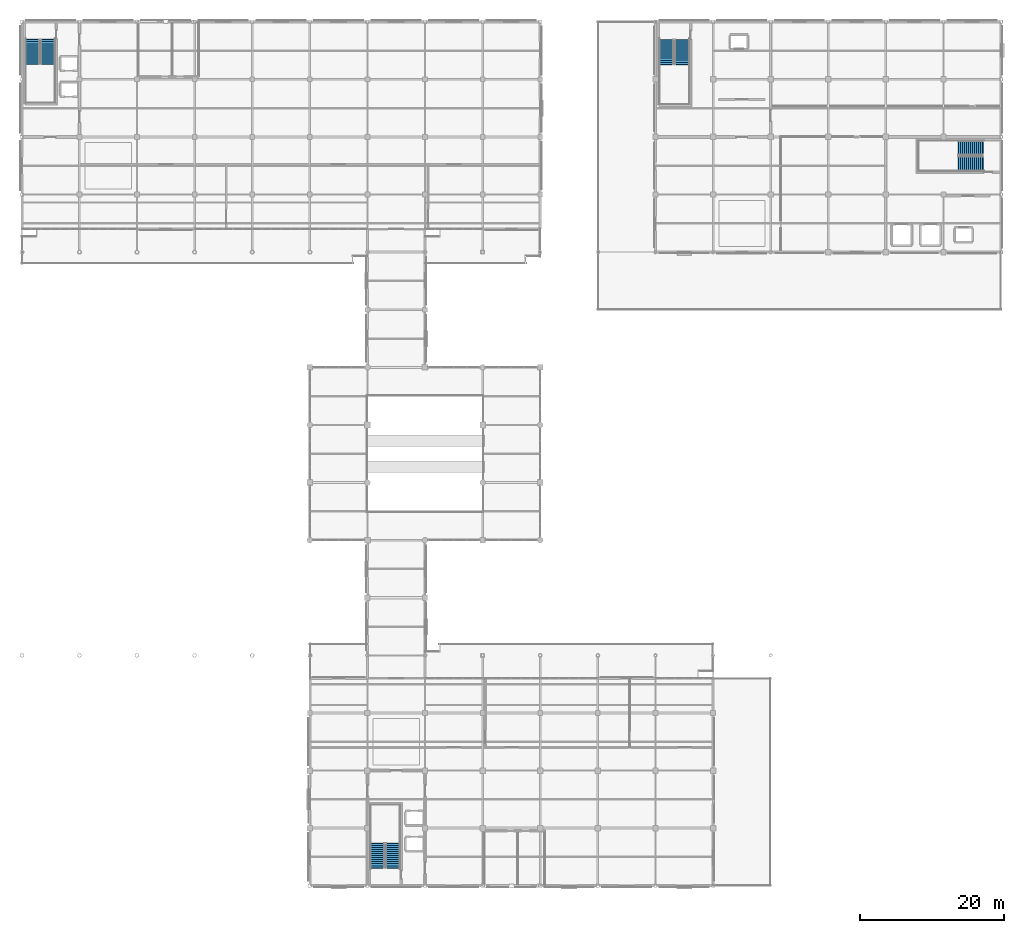
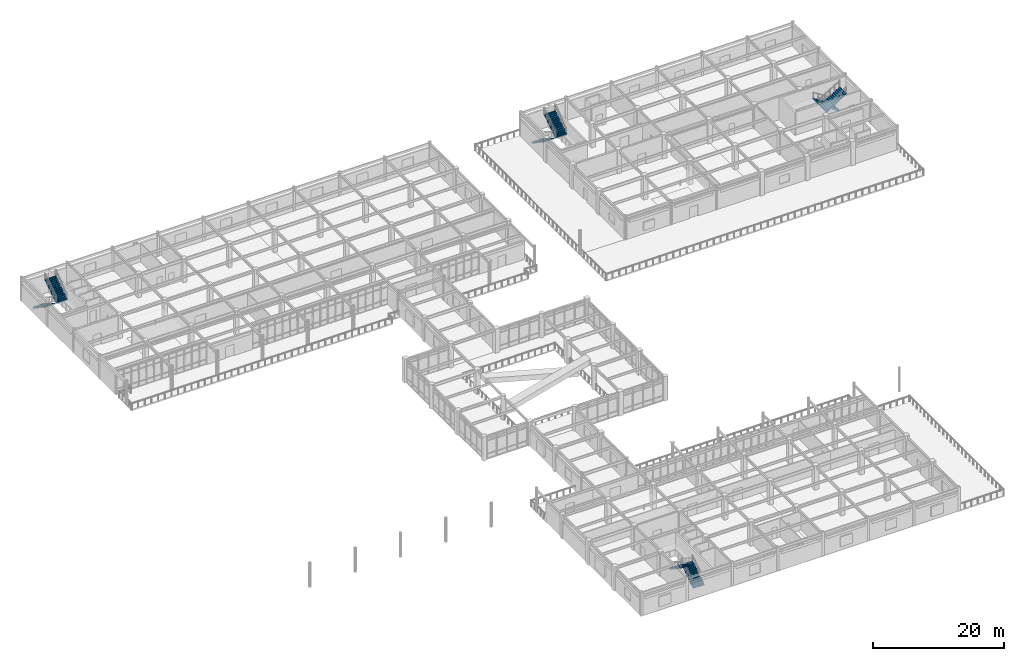
# One storey, part 61 of 75: 8 stair flights, 4 elements without a shape of their own.
"""IFC4 building model written with IfcOpenShell, lengths in metres."""

from ifc_helpers import new_model, si_unit, direction, frame, origin, place, context, subcontext, project, spatial, polyline, outline, extrude, material, type_object, element, aggregate, save


model = new_model("IFC4")

# Units and contexts
model_context = context("Model", 3, precision=1e-05, world=origin(), true_north=direction((0.0, 1.0)))
body_context = subcontext(model_context, "Body", "Model", "MODEL_VIEW")
ifc_project = project(units=[si_unit("LENGTHUNIT", "METRE"), si_unit("AREAUNIT", "SQUARE_METRE"), si_unit("VOLUMEUNIT", "CUBIC_METRE"), si_unit("PLANEANGLEUNIT", "RADIAN"), si_unit("MASSUNIT", "GRAM", prefix="KILO")], contexts=[model_context])

# Site, building, storey
site_placement = place(None, origin())
site = spatial("IfcSite", under=ifc_project, at=site_placement, CompositionType="ELEMENT")
building_placement = place(site_placement, origin())
building = spatial("IfcBuilding", under=site, at=building_placement, Name="Solmirada Galleria", CompositionType="ELEMENT")
storey_placement = place(building_placement, frame((0.0, 0.0, 19.39990234375)))
storey = spatial("IfcBuildingStorey", under=building, at=storey_placement, Name="L04", CompositionType="ELEMENT", Elevation=19.39990234375)

# Stair, stair flights
ifc_material = material(Name="Concrete C35/45", Category="concrete")
stair_type_1 = type_object("IfcStairType", Name="STR-DOG-200-H45", PredefinedType="HALF_TURN_STAIR", material=ifc_material)
stair_1_placement = place(storey_placement, origin())
stair_1 = element("IfcStair", 1, at=stair_1_placement, inside=storey, type_object=stair_type_1, Name="L04 Northwest Sales Core Exit Stair ST1", PredefinedType="HALF_TURN_STAIR")
stair_flight_type_1 = type_object("IfcStairFlightType", Name="SFL-DOG-200-H45", PredefinedType="STRAIGHT", material=ifc_material)
stair_flight_1_placement = place(storey_placement, frame((41.5, 117.5, 0.0), z_axis=(0.0, 0.0, 1.0), x_axis=(0.0, -1.0, 0.0)))
stair_flight_1 = element("IfcStairFlight", 2, at=stair_flight_1_placement, type_object=stair_flight_type_1, Name="ST1 flight 1", NumberOfRisers=13, NumberOfTreads=12, PredefinedType="STRAIGHT", RiserHeight=0.173076923, TreadLength=0.28, context=body_context, shape_type="SweptSolid", body=[
    extrude(outline(polyline([(-0.080078125, 0.0), (0.0, 0.0), (0.0, 0.173095703125), (0.280029296875, 0.173095703125), (0.280029296875, 0.34619140625), (0.56005859375, 0.34619140625), (0.56005859375, 0.519287109375), (0.840087890625, 0.519287109375), (0.840087890625, 0.6923828125), (1.1201171875, 0.6923828125), (1.1201171875, 0.865478515625), (1.39990234375, 0.865478515625), (1.39990234375, 1.03857421875), (1.679931640625, 1.03857421875), (1.679931640625, 1.21142578125), (1.9599609375, 1.21142578125), (1.9599609375, 1.384521484375), (2.239990234375, 1.384521484375), (2.239990234375, 1.5576171875), (2.52001953125, 1.5576171875), (2.52001953125, 1.730712890625), (2.800048828125, 1.730712890625), (2.800048828125, 1.90380859375), (3.080078125, 1.90380859375), (3.080078125, 2.076904296875), (3.360107421875, 2.076904296875), (3.360107421875, 2.25), (3.43994140625, 2.25), (3.43994140625, 2.050048828125), (3.360107421875, 2.050048828125), (0.080078125, -0.179931640625), (-0.080078125, -0.179931640625), (-0.080078125, 0.0)])), frame((0.0, 1.0, 0.0), z_axis=(0.0, -1.0, 0.0), x_axis=(1.0, 0.0, 0.0)), (0.0, 0.0, 1.0), 2.0),
])
stair_flight_2_placement = place(storey_placement, frame((43.64990234375, 114.139892578125, 2.25), z_axis=(0.0, 0.0, 1.0), x_axis=(0.0, 1.0, 0.0)))
stair_flight_2 = element("IfcStairFlight", 3, at=stair_flight_2_placement, type_object=stair_flight_type_1, Name="ST1 flight 2", NumberOfRisers=13, NumberOfTreads=12, PredefinedType="STRAIGHT", RiserHeight=0.173076923, TreadLength=0.28, context=body_context, shape_type="SweptSolid", body=[
    extrude(outline(polyline([(-0.080078125, 0.0), (0.0, 0.0), (0.0, 0.173095703125), (0.280029296875, 0.173095703125), (0.280029296875, 0.34619140625), (0.56005859375, 0.34619140625), (0.56005859375, 0.519287109375), (0.840087890625, 0.519287109375), (0.840087890625, 0.6923828125), (1.1201171875, 0.6923828125), (1.1201171875, 0.865478515625), (1.39990234375, 0.865478515625), (1.39990234375, 1.03857421875), (1.679931640625, 1.03857421875), (1.679931640625, 1.21142578125), (1.9599609375, 1.21142578125), (1.9599609375, 1.384521484375), (2.239990234375, 1.384521484375), (2.239990234375, 1.5576171875), (2.52001953125, 1.5576171875), (2.52001953125, 1.730712890625), (2.800048828125, 1.730712890625), (2.800048828125, 1.90380859375), (3.080078125, 1.90380859375), (3.080078125, 2.076904296875), (3.360107421875, 2.076904296875), (3.360107421875, 2.25), (3.43994140625, 2.25), (3.43994140625, 2.050048828125), (3.360107421875, 2.050048828125), (0.080078125, -0.179931640625), (-0.080078125, -0.179931640625), (-0.080078125, 0.0)])), frame((0.0, 1.0, 0.0), z_axis=(0.0, -1.0, 0.0), x_axis=(1.0, 0.0, 0.0)), (0.0, 0.0, 1.0), 2.0),
])
aggregate(stair_1, [stair_flight_1, stair_flight_2])

stair_2_placement = place(storey_placement, origin())
stair_2 = element("IfcStair", 4, at=stair_2_placement, inside=storey, type_object=stair_type_1, Name="L04 South Sales Core Exit Stair ST2", PredefinedType="HALF_TURN_STAIR")
stair_flight_3_placement = place(storey_placement, frame((91.550048828125, 2.5, 0.0), z_axis=(0.0, 0.0, 1.0), x_axis=(0.0, 1.0, 0.0)))
stair_flight_3 = element("IfcStairFlight", 5, at=stair_flight_3_placement, type_object=stair_flight_type_1, Name="ST2 flight 1", NumberOfRisers=13, NumberOfTreads=12, PredefinedType="STRAIGHT", RiserHeight=0.173076923, TreadLength=0.28, context=body_context, shape_type="SweptSolid", body=[
    extrude(outline(polyline([(-0.080078125, 0.0), (0.0, 0.0), (0.0, 0.173095703125), (0.280029296875, 0.173095703125), (0.280029296875, 0.34619140625), (0.56005859375, 0.34619140625), (0.56005859375, 0.519287109375), (0.840087890625, 0.519287109375), (0.840087890625, 0.6923828125), (1.1201171875, 0.6923828125), (1.1201171875, 0.865478515625), (1.39990234375, 0.865478515625), (1.39990234375, 1.03857421875), (1.679931640625, 1.03857421875), (1.679931640625, 1.21142578125), (1.9599609375, 1.21142578125), (1.9599609375, 1.384521484375), (2.239990234375, 1.384521484375), (2.239990234375, 1.5576171875), (2.52001953125, 1.5576171875), (2.52001953125, 1.730712890625), (2.800048828125, 1.730712890625), (2.800048828125, 1.90380859375), (3.080078125, 1.90380859375), (3.080078125, 2.076904296875), (3.360107421875, 2.076904296875), (3.360107421875, 2.25), (3.43994140625, 2.25), (3.43994140625, 2.050048828125), (3.360107421875, 2.050048828125), (0.080078125, -0.179931640625), (-0.080078125, -0.179931640625), (-0.080078125, 0.0)])), frame((0.0, 1.0, 0.0), z_axis=(0.0, -1.0, 0.0), x_axis=(1.0, 0.0, 0.0)), (0.0, 0.0, 1.0), 2.0),
])
stair_flight_4_placement = place(storey_placement, frame((89.39990234375, 5.860107421875, 2.25), z_axis=(0.0, 0.0, 1.0), x_axis=(0.0, -1.0, 0.0)))
stair_flight_4 = element("IfcStairFlight", 6, at=stair_flight_4_placement, type_object=stair_flight_type_1, Name="ST2 flight 2", NumberOfRisers=13, NumberOfTreads=12, PredefinedType="STRAIGHT", RiserHeight=0.173076923, TreadLength=0.28, context=body_context, shape_type="SweptSolid", body=[
    extrude(outline(polyline([(-0.080078125, 0.0), (0.0, 0.0), (0.0, 0.173095703125), (0.280029296875, 0.173095703125), (0.280029296875, 0.34619140625), (0.56005859375, 0.34619140625), (0.56005859375, 0.519287109375), (0.840087890625, 0.519287109375), (0.840087890625, 0.6923828125), (1.1201171875, 0.6923828125), (1.1201171875, 0.865478515625), (1.39990234375, 0.865478515625), (1.39990234375, 1.03857421875), (1.679931640625, 1.03857421875), (1.679931640625, 1.21142578125), (1.9599609375, 1.21142578125), (1.9599609375, 1.384521484375), (2.239990234375, 1.384521484375), (2.239990234375, 1.5576171875), (2.52001953125, 1.5576171875), (2.52001953125, 1.730712890625), (2.800048828125, 1.730712890625), (2.800048828125, 1.90380859375), (3.080078125, 1.90380859375), (3.080078125, 2.076904296875), (3.360107421875, 2.076904296875), (3.360107421875, 2.25), (3.43994140625, 2.25), (3.43994140625, 2.050048828125), (3.360107421875, 2.050048828125), (0.080078125, -0.179931640625), (-0.080078125, -0.179931640625), (-0.080078125, 0.0)])), frame((0.0, 1.0, 0.0), z_axis=(0.0, -1.0, 0.0), x_axis=(1.0, 0.0, 0.0)), (0.0, 0.0, 1.0), 2.0),
])
aggregate(stair_2, [stair_flight_3, stair_flight_4])

stair_type_2 = type_object("IfcStairType", Name="STR-DOG-205-H45", PredefinedType="HALF_TURN_STAIR", material=ifc_material)
stair_3_placement = place(storey_placement, origin())
stair_3 = element("IfcStair", 7, at=stair_3_placement, inside=storey, type_object=stair_type_2, Name="L04 North Avenue High-Rise Core Exit Stair ST3", PredefinedType="HALF_TURN_STAIR")
stair_flight_type_2 = type_object("IfcStairFlightType", Name="SFL-DOG-205-H45", PredefinedType="STRAIGHT", material=ifc_material)
stair_flight_5_placement = place(storey_placement, frame((129.52490234375, 117.449951171875, 0.0), z_axis=(0.0, 0.0, 1.0), x_axis=(0.0, -1.0, 0.0)))
stair_flight_5 = element("IfcStairFlight", 8, at=stair_flight_5_placement, type_object=stair_flight_type_2, Name="ST3 flight 1", NumberOfRisers=13, NumberOfTreads=12, PredefinedType="STRAIGHT", RiserHeight=0.173076923, TreadLength=0.28, context=body_context, shape_type="SweptSolid", body=[
    extrude(outline(polyline([(-0.080078125, 0.0), (0.0, 0.0), (0.0, 0.173095703125), (0.280029296875, 0.173095703125), (0.280029296875, 0.34619140625), (0.56005859375, 0.34619140625), (0.56005859375, 0.519287109375), (0.840087890625, 0.519287109375), (0.840087890625, 0.6923828125), (1.1201171875, 0.6923828125), (1.1201171875, 0.865478515625), (1.39990234375, 0.865478515625), (1.39990234375, 1.03857421875), (1.679931640625, 1.03857421875), (1.679931640625, 1.21142578125), (1.9599609375, 1.21142578125), (1.9599609375, 1.384521484375), (2.239990234375, 1.384521484375), (2.239990234375, 1.5576171875), (2.52001953125, 1.5576171875), (2.52001953125, 1.730712890625), (2.800048828125, 1.730712890625), (2.800048828125, 1.90380859375), (3.080078125, 1.90380859375), (3.080078125, 2.076904296875), (3.360107421875, 2.076904296875), (3.360107421875, 2.25), (3.43994140625, 2.25), (3.43994140625, 2.050048828125), (3.360107421875, 2.050048828125), (0.080078125, -0.179931640625), (-0.080078125, -0.179931640625), (-0.080078125, 0.0)])), frame((0.0, 1.02490234375, 0.0), z_axis=(0.0, -1.0, 0.0), x_axis=(1.0, 0.0, 0.0)), (0.0, 0.0, 1.0), 2.050048828125),
])
stair_flight_6_placement = place(storey_placement, frame((131.72509765625, 114.090087890625, 2.25), z_axis=(0.0, 0.0, 1.0), x_axis=(0.0, 1.0, 0.0)))
stair_flight_6 = element("IfcStairFlight", 9, at=stair_flight_6_placement, type_object=stair_flight_type_2, Name="ST3 flight 2", NumberOfRisers=13, NumberOfTreads=12, PredefinedType="STRAIGHT", RiserHeight=0.173076923, TreadLength=0.28, context=body_context, shape_type="SweptSolid", body=[
    extrude(outline(polyline([(-0.080078125, 0.0), (0.0, 0.0), (0.0, 0.173095703125), (0.280029296875, 0.173095703125), (0.280029296875, 0.34619140625), (0.56005859375, 0.34619140625), (0.56005859375, 0.519287109375), (0.840087890625, 0.519287109375), (0.840087890625, 0.6923828125), (1.1201171875, 0.6923828125), (1.1201171875, 0.865478515625), (1.39990234375, 0.865478515625), (1.39990234375, 1.03857421875), (1.679931640625, 1.03857421875), (1.679931640625, 1.21142578125), (1.9599609375, 1.21142578125), (1.9599609375, 1.384521484375), (2.239990234375, 1.384521484375), (2.239990234375, 1.5576171875), (2.52001953125, 1.5576171875), (2.52001953125, 1.730712890625), (2.800048828125, 1.730712890625), (2.800048828125, 1.90380859375), (3.080078125, 1.90380859375), (3.080078125, 2.076904296875), (3.360107421875, 2.076904296875), (3.360107421875, 2.25), (3.43994140625, 2.25), (3.43994140625, 2.050048828125), (3.360107421875, 2.050048828125), (0.080078125, -0.179931640625), (-0.080078125, -0.179931640625), (-0.080078125, 0.0)])), frame((0.0, 1.02490234375, 0.0), z_axis=(0.0, -1.0, 0.0), x_axis=(1.0, 0.0, 0.0)), (0.0, 0.0, 1.0), 2.050048828125),
])
aggregate(stair_3, [stair_flight_5, stair_flight_6])

stair_4_placement = place(storey_placement, origin())
stair_4 = element("IfcStair", 10, at=stair_4_placement, inside=storey, type_object=stair_type_2, Name="L04 East Avenue High-Rise and Freight Core Exit Stair ST4", PredefinedType="HALF_TURN_STAIR")
stair_flight_7_placement = place(storey_placement, frame((173.449951171875, 102.47509765625, 0.0), z_axis=(0.0, 0.0, 1.0), x_axis=(-1.0, 0.0, 0.0)))
stair_flight_7 = element("IfcStairFlight", 11, at=stair_flight_7_placement, type_object=stair_flight_type_2, Name="ST4 flight 1", NumberOfRisers=13, NumberOfTreads=12, PredefinedType="STRAIGHT", RiserHeight=0.173076923, TreadLength=0.28, context=body_context, shape_type="SweptSolid", body=[
    extrude(outline(polyline([(-0.080078125, 0.0), (0.0, 0.0), (0.0, 0.173095703125), (0.280029296875, 0.173095703125), (0.280029296875, 0.34619140625), (0.56005859375, 0.34619140625), (0.56005859375, 0.519287109375), (0.840087890625, 0.519287109375), (0.840087890625, 0.6923828125), (1.1201171875, 0.6923828125), (1.1201171875, 0.865478515625), (1.39990234375, 0.865478515625), (1.39990234375, 1.03857421875), (1.679931640625, 1.03857421875), (1.679931640625, 1.21142578125), (1.9599609375, 1.21142578125), (1.9599609375, 1.384521484375), (2.239990234375, 1.384521484375), (2.239990234375, 1.5576171875), (2.52001953125, 1.5576171875), (2.52001953125, 1.730712890625), (2.800048828125, 1.730712890625), (2.800048828125, 1.90380859375), (3.080078125, 1.90380859375), (3.080078125, 2.076904296875), (3.360107421875, 2.076904296875), (3.360107421875, 2.25), (3.43994140625, 2.25), (3.43994140625, 2.050048828125), (3.360107421875, 2.050048828125), (0.080078125, -0.179931640625), (-0.080078125, -0.179931640625), (-0.080078125, 0.0)])), frame((0.0, 1.02490234375, 0.0), z_axis=(0.0, -1.0, 0.0), x_axis=(1.0, 0.0, 0.0)), (0.0, 0.0, 1.0), 2.050048828125),
])
stair_flight_8_placement = place(storey_placement, frame((170.090087890625, 100.27490234375, 2.25), z_axis=(0.0, 0.0, 1.0), x_axis=(1.0, 0.0, 0.0)))
stair_flight_8 = element("IfcStairFlight", 12, at=stair_flight_8_placement, type_object=stair_flight_type_2, Name="ST4 flight 2", NumberOfRisers=13, NumberOfTreads=12, PredefinedType="STRAIGHT", RiserHeight=0.173076923, TreadLength=0.28, context=body_context, shape_type="SweptSolid", body=[
    extrude(outline(polyline([(-0.080078125, 0.0), (0.0, 0.0), (0.0, 0.173095703125), (0.280029296875, 0.173095703125), (0.280029296875, 0.34619140625), (0.56005859375, 0.34619140625), (0.56005859375, 0.519287109375), (0.840087890625, 0.519287109375), (0.840087890625, 0.6923828125), (1.1201171875, 0.6923828125), (1.1201171875, 0.865478515625), (1.39990234375, 0.865478515625), (1.39990234375, 1.03857421875), (1.679931640625, 1.03857421875), (1.679931640625, 1.21142578125), (1.9599609375, 1.21142578125), (1.9599609375, 1.384521484375), (2.239990234375, 1.384521484375), (2.239990234375, 1.5576171875), (2.52001953125, 1.5576171875), (2.52001953125, 1.730712890625), (2.800048828125, 1.730712890625), (2.800048828125, 1.90380859375), (3.080078125, 1.90380859375), (3.080078125, 2.076904296875), (3.360107421875, 2.076904296875), (3.360107421875, 2.25), (3.43994140625, 2.25), (3.43994140625, 2.050048828125), (3.360107421875, 2.050048828125), (0.080078125, -0.179931640625), (-0.080078125, -0.179931640625), (-0.080078125, 0.0)])), frame((0.0, 1.02490234375, 0.0), z_axis=(0.0, -1.0, 0.0), x_axis=(1.0, 0.0, 0.0)), (0.0, 0.0, 1.0), 2.050048828125),
])
aggregate(stair_4, [stair_flight_7, stair_flight_8])

save(model, "model.ifc")
